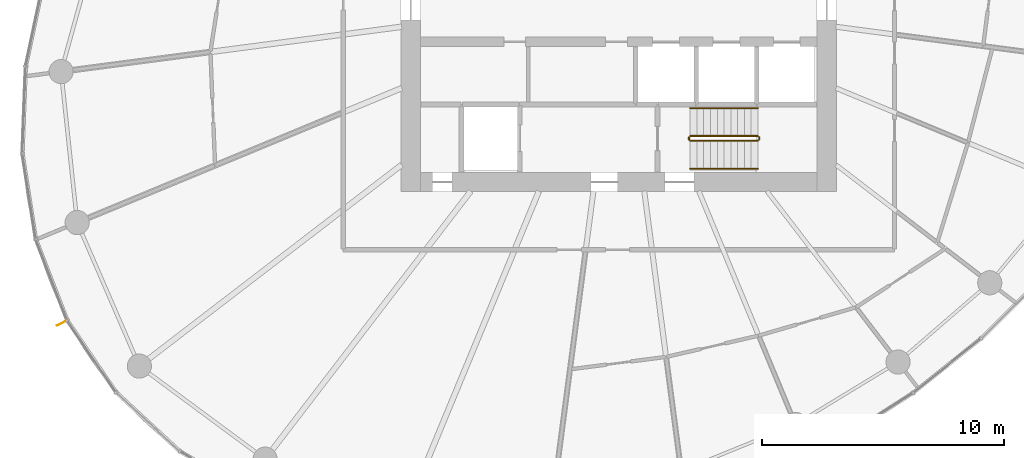
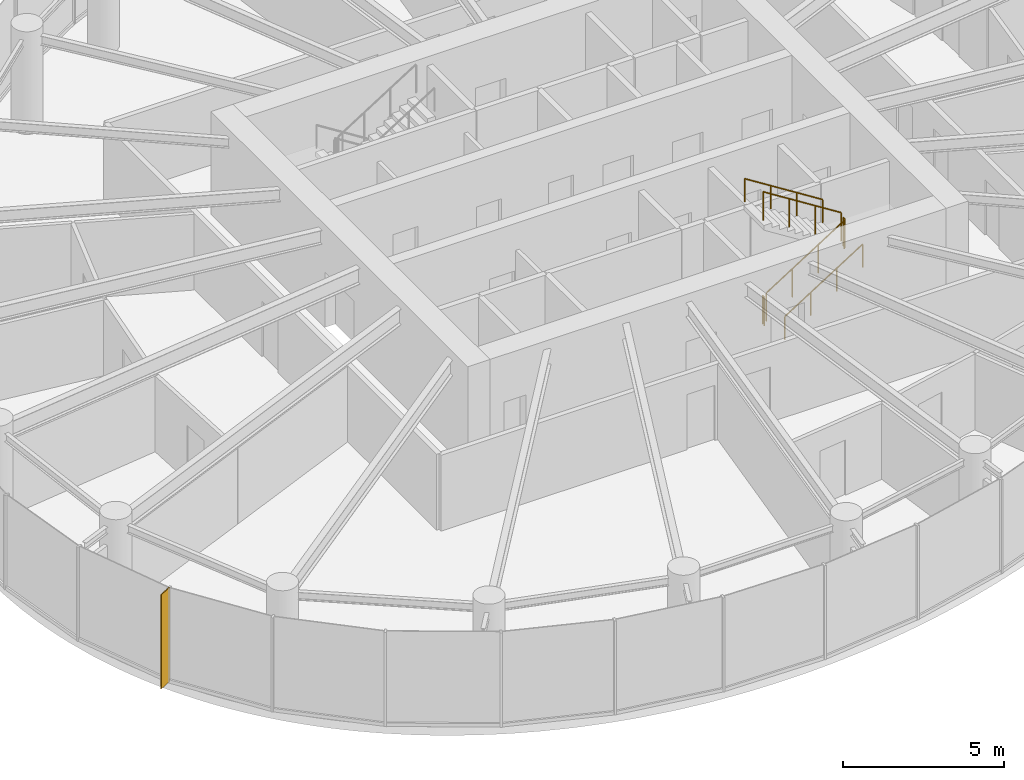
# One storey, part 12 of 14: 6 railings, 1 shading device.
"""IFC4 building model written with IfcOpenShell, lengths in metres."""

from ifc_helpers import new_model, si_unit, direction, frame, origin, origin_2d, place, context, subcontext, project, spatial, rectangle, circle, extrude, source, transform, mapped, material, material_profile, profile_set, type_object, element, save


model = new_model("IFC4")

# Units and contexts
model_context = context("Model", 3, precision=1e-05, world=origin(), true_north=direction((0.0, 1.0)))
body_context = subcontext(model_context, "Body", "Model", "MODEL_VIEW")
ifc_project = project(units=[si_unit("LENGTHUNIT", "METRE"), si_unit("AREAUNIT", "SQUARE_METRE"), si_unit("VOLUMEUNIT", "CUBIC_METRE"), si_unit("PLANEANGLEUNIT", "RADIAN"), si_unit("MASSUNIT", "GRAM", prefix="KILO")], contexts=[model_context])

# Site, building, storey
site_placement = place(None, origin())
site = spatial("IfcSite", under=ifc_project, at=site_placement, CompositionType="ELEMENT")
building_placement = place(site_placement, origin())
building = spatial("IfcBuilding", under=site, at=building_placement, Name="Spindrift Exchange Tower", CompositionType="ELEMENT")
storey_placement = place(building_placement, frame((0.0, 0.0, 144.800048828125)))
storey = spatial("IfcBuildingStorey", under=building, at=storey_placement, Name="L34", CompositionType="ELEMENT", Elevation=144.800048828125)

# Railings
ifc_material_1 = material(Name="Steel balustrade", Category="steel")
railing_type_1 = type_object("IfcRailingType", Name="RL-STAIR-GUARD", PredefinedType="GUARDRAIL", material=ifc_material_1)
railing_1_placement = place(storey_placement, frame((54.949951171875, 42.10009765625, 0.17724609375)))
element("IfcRailing", 1, at=railing_1_placement, inside=storey, type_object=railing_type_1, Name="L34 ST2 stair guard 1", PredefinedType="GUARDRAIL", context=body_context, shape_type="SweptSolid", body=[
    extrude(circle(Radius=0.02392578125, at=origin_2d()), frame((0.0, 0.0, 1.076171875), z_axis=(0.844908973607, 0.0, 0.534910110503), x_axis=(0.0, 1.0, 0.0)), (0.0, 0.0, 1.0), 3.31396484375),
    extrude(circle(Radius=0.02099609375, at=origin_2d()), origin(), (0.0, 0.0, 1.0), 1.052001953125),
    extrude(circle(Radius=0.02099609375, at=origin_2d()), frame((0.933349609375, 0.0, 0.5908203125)), (0.0, 0.0, 1.0), 1.052001953125),
    extrude(circle(Radius=0.02099609375, at=origin_2d()), frame((1.86669921875, 0.0, 1.181884765625)), (0.0, 0.0, 1.0), 1.052001953125),
    extrude(circle(Radius=0.02099609375, at=origin_2d()), frame((2.800048828125, 0.0, 1.772705078125)), (0.0, 0.0, 1.0), 1.052001953125),
])
railing_2_placement = place(storey_placement, frame((57.800048828125, 42.14990234375, 1.949951171875)))
element("IfcRailing", 2, at=railing_2_placement, inside=storey, type_object=railing_type_1, Name="L34 ST2 stair guard 2", PredefinedType="GUARDRAIL", context=body_context, shape_type="SweptSolid", body=[
    extrude(circle(Radius=0.02392578125, at=origin_2d()), frame((0.0, 0.0, 1.076171875), z_axis=(0.0, 1.0, 0.0), x_axis=(-1.0, 0.0, 0.0)), (0.0, 0.0, 1.0), 0.10009765625),
    extrude(circle(Radius=0.02099609375, at=origin_2d()), origin(), (0.0, 0.0, 1.0), 1.052001953125),
    extrude(circle(Radius=0.02099609375, at=origin_2d()), frame((0.0, 0.10009765625, 0.0)), (0.0, 0.0, 1.0), 1.052001953125),
])
railing_3_placement = place(storey_placement, frame((57.75, 42.300048828125, 2.127197265625)))
element("IfcRailing", 3, at=railing_3_placement, inside=storey, type_object=railing_type_1, Name="L34 ST2 stair guard 3", PredefinedType="GUARDRAIL", context=body_context, shape_type="SweptSolid", body=[
    extrude(circle(Radius=0.02392578125, at=origin_2d()), frame((0.0, 0.0, 1.076171875), z_axis=(-0.844908973607, 0.0, 0.534910110503), x_axis=(0.0, -1.0, 0.0)), (0.0, 0.0, 1.0), 3.31396484375),
    extrude(circle(Radius=0.02099609375, at=origin_2d()), origin(), (0.0, 0.0, 1.0), 1.052001953125),
    extrude(circle(Radius=0.02099609375, at=origin_2d()), frame((-0.933349609375, 0.0, 0.5908203125)), (0.0, 0.0, 1.0), 1.052001953125),
    extrude(circle(Radius=0.02099609375, at=origin_2d()), frame((-1.86669921875, 0.0, 1.181884765625)), (0.0, 0.0, 1.0), 1.052001953125),
    extrude(circle(Radius=0.02099609375, at=origin_2d()), frame((-2.800048828125, 0.0, 1.772705078125)), (0.0, 0.0, 1.0), 1.052001953125),
])
railing_4_placement = place(storey_placement, frame((54.89990234375, 42.14990234375, 0.0)))
element("IfcRailing", 4, at=railing_4_placement, inside=storey, type_object=railing_type_1, Name="L34 ST2 stair guard 4", PredefinedType="GUARDRAIL", context=body_context, shape_type="SweptSolid", body=[
    extrude(circle(Radius=0.02392578125, at=origin_2d()), frame((0.0, 0.0, 1.076171875), z_axis=(0.0, 1.0, 0.0), x_axis=(-1.0, 0.0, 0.0)), (0.0, 0.0, 1.0), 0.10009765625),
    extrude(circle(Radius=0.02099609375, at=origin_2d()), origin(), (0.0, 0.0, 1.0), 1.052001953125),
    extrude(circle(Radius=0.02099609375, at=origin_2d()), frame((0.0, 0.10009765625, 0.0)), (0.0, 0.0, 1.0), 1.052001953125),
])
ifc_material_2 = material(Name="Steel tubular handrail", Category="steel")
railing_type_2 = type_object("IfcRailingType", Name="RL-STAIR-HAND", PredefinedType="HANDRAIL", material=ifc_material_2)
railing_5_placement = place(storey_placement, frame((54.949951171875, 40.949951171875, 0.17724609375)))
element("IfcRailing", 5, at=railing_5_placement, inside=storey, type_object=railing_type_2, Name="L34 ST2 stair handrail 1", PredefinedType="HANDRAIL", context=body_context, shape_type="SweptSolid", body=[
    extrude(circle(Radius=0.02392578125, at=origin_2d()), frame((0.0, 0.0, 0.8759765625), z_axis=(0.844908973607, 0.0, 0.534910110503), x_axis=(0.0, 1.0, 0.0)), (0.0, 0.0, 1.0), 3.31396484375),
    extrude(circle(Radius=0.02099609375, at=origin_2d()), origin(), (0.0, 0.0, 1.0), 0.851806640625),
    extrude(circle(Radius=0.02099609375, at=origin_2d()), frame((0.933349609375, 0.0, 0.5908203125)), (0.0, 0.0, 1.0), 0.851806640625),
    extrude(circle(Radius=0.02099609375, at=origin_2d()), frame((1.86669921875, 0.0, 1.181884765625)), (0.0, 0.0, 1.0), 0.851806640625),
    extrude(circle(Radius=0.02099609375, at=origin_2d()), frame((2.800048828125, 0.0, 1.772705078125)), (0.0, 0.0, 1.0), 0.851806640625),
])
railing_6_placement = place(storey_placement, frame((57.75, 43.449951171875, 2.127197265625)))
element("IfcRailing", 6, at=railing_6_placement, inside=storey, type_object=railing_type_2, Name="L34 ST2 stair handrail 2", PredefinedType="HANDRAIL", context=body_context, shape_type="SweptSolid", body=[
    extrude(circle(Radius=0.02392578125, at=origin_2d()), frame((0.0, 0.0, 0.8759765625), z_axis=(-0.844908973607, 0.0, 0.534910110503), x_axis=(0.0, -1.0, 0.0)), (0.0, 0.0, 1.0), 3.31396484375),
    extrude(circle(Radius=0.02099609375, at=origin_2d()), origin(), (0.0, 0.0, 1.0), 0.851806640625),
    extrude(circle(Radius=0.02099609375, at=origin_2d()), frame((-0.933349609375, 0.0, 0.5908203125)), (0.0, 0.0, 1.0), 0.851806640625),
    extrude(circle(Radius=0.02099609375, at=origin_2d()), frame((-1.86669921875, 0.0, 1.181884765625)), (0.0, 0.0, 1.0), 0.851806640625),
    extrude(circle(Radius=0.02099609375, at=origin_2d()), frame((-2.800048828125, 0.0, 1.772705078125)), (0.0, 0.0, 1.0), 0.851806640625),
])

# Shading device
ifc_material_3 = material(Name="Bronze anodised aluminium", Category="aluminium")
ifc_material_profile = material_profile(ifc_material_3, rectangle(XDim=0.030029296875, YDim=0.5, at=origin_2d()), Name="WIND FIN 30X500")
ifc_profile_set = profile_set([ifc_material_profile], Name="Bronze anodised aluminium")
shading_device_type = type_object("IfcShadingDeviceType", Name="WIND FIN 30X500", PredefinedType="USERDEFINED", material=ifc_profile_set)
shared_shape = source(origin(), body_context, "Body", "SweptSolid", [
    extrude(rectangle(XDim=0.030029296875, YDim=0.5, at=origin_2d()), origin(), (0.0, 0.0, 1.0), 3.579833984375),
])
shading_device_placement = place(storey_placement, frame((28.990478515625, 34.576171875, 0.0), z_axis=(0.0, 0.0, 1.0), x_axis=(0.464461858256, -0.885593124536, 0.0)))
element("IfcShadingDevice", 7, at=shading_device_placement, inside=storey, type_object=shading_device_type, Name="L34 wind fin 1", ObjectType="FIN", PredefinedType="USERDEFINED", context=body_context, shape_type="MappedRepresentation", body=[
    mapped(shared_shape, transform((0.0, 0.0, 0.0), scale=1.0)),
])

save(model, "model.ifc")
